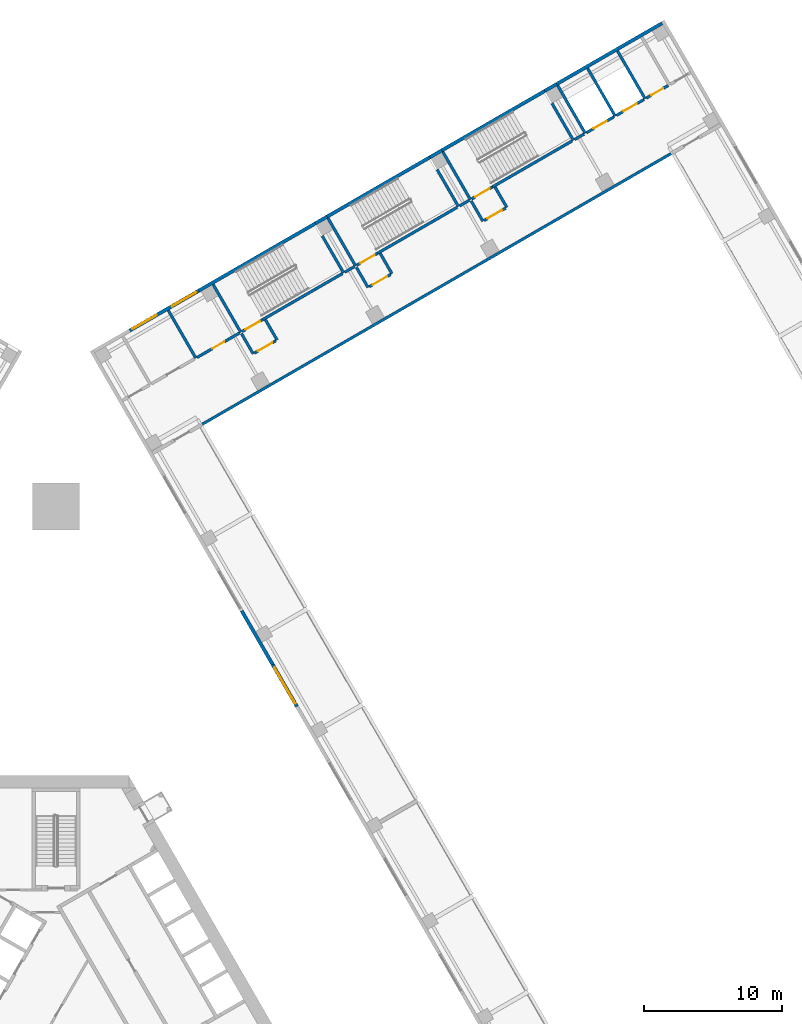
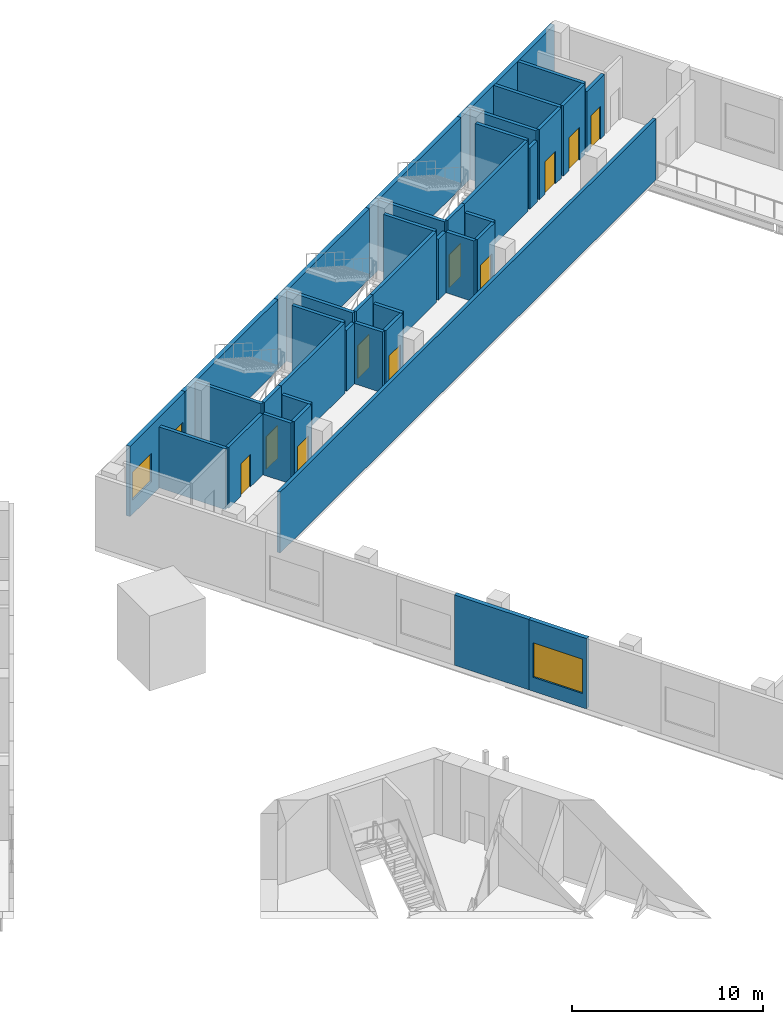
# One storey, part 15 of 28: 43 walls, 10 doors, 3 windows, 13 openings.
"""IFC4 building model written with IfcOpenShell, lengths in metres."""

from ifc_helpers import new_model, si_unit, direction, frame, frame_2d, origin, place, context, subcontext, project, spatial, rectangle, extrude, material, layer, layer_set, type_object, element, fill, save


model = new_model("IFC4")

# Units and contexts
model_context = context("Model", 3, precision=1e-05, world=origin(), true_north=direction((0.0, 1.0)))
body_context = subcontext(model_context, "Body", "Model", "MODEL_VIEW")
ifc_project = project(units=[si_unit("LENGTHUNIT", "METRE"), si_unit("AREAUNIT", "SQUARE_METRE"), si_unit("VOLUMEUNIT", "CUBIC_METRE"), si_unit("PLANEANGLEUNIT", "RADIAN"), si_unit("MASSUNIT", "GRAM", prefix="KILO")], contexts=[model_context])

# Site, building, storey
site_placement = place(None, origin())
site = spatial("IfcSite", under=ifc_project, at=site_placement, CompositionType="ELEMENT")
building_placement = place(site_placement, origin())
building = spatial("IfcBuilding", under=site, at=building_placement, Name="Mestral Congress Tower", CompositionType="ELEMENT")
storey_placement = place(building_placement, frame((0.0, 0.0, 11.39990234375)))
storey = spatial("IfcBuildingStorey", under=building, at=storey_placement, Name="L02", CompositionType="ELEMENT", Elevation=11.39990234375)

# Wall, opening, window
ifc_material_1 = material(Name="Precast concrete C40/50 with limestone facing", Category="masonry")
ifc_layer_1 = layer(ifc_material_1, 0.25)
ifc_layer_set_1 = layer_set([ifc_layer_1], Name="Precast concrete C40/50 with limestone facing")
wall_type_1 = type_object("IfcWallType", Name="Podium external wall 250", PredefinedType="SOLIDWALL", material=ifc_layer_set_1)
wall_1_placement = place(storey_placement, frame((17.4375, 21.9033203125, 0.0), z_axis=(0.0, 0.0, 1.0), x_axis=(-0.500010275428, 0.866019471182, 0.0)))
wall_1 = element("IfcWall", 1, at=wall_1_placement, inside=storey, type_object=wall_type_1, Name="L02 external wall", PredefinedType="SOLIDWALL", context=body_context, shape_type="SweptSolid", body=[
    extrude(rectangle(XDim=3.5, YDim=0.25, at=frame_2d((1.75, 0.0))), origin(), (0.0, 0.0, 1.0), 4.5),
])
opening_1_placement = place(wall_1_placement, frame((0.25, 0.0, 0.89990234375)))
opening_1 = element("IfcOpeningElement", 2, at=opening_1_placement, cuts=wall_1, Name="Opening PW-3000x2200", PredefinedType="OPENING", context=body_context, shape_type="SweptSolid", body=[
    extrude(rectangle(XDim=3.0, YDim=2.199951171875, at=frame_2d((1.5, 1.10009765625))), frame((0.0, 0.135009765625, 0.0), z_axis=(0.0, -1.0, 0.0), x_axis=(1.0, 0.0, 0.0)), (0.0, 0.0, 1.0), 0.27001953125),
])
ifc_material_2 = material(Name="Aluminium frame, clear double glazing", Category="aluminium")
window_type_1 = type_object("IfcWindowType", Name="Podium window 3000x2200 sill 900", PartitioningType="SINGLE_PANEL", PredefinedType="WINDOW", material=ifc_material_2)
window_1_placement = place(opening_1_placement, origin())
window_1 = element("IfcWindow", 3, at=window_1_placement, inside=storey, type_object=window_type_1, Name="Window", OverallHeight=2.199951171875, OverallWidth=3.0, PartitioningType="SINGLE_PANEL", PredefinedType="WINDOW", context=body_context, shape_type="SweptSolid", body=[
    extrude(rectangle(XDim=3.0, YDim=2.199951171875, at=frame_2d((1.5, 1.10009765625))), frame((0.0, 0.030029296875, 0.0), z_axis=(0.0, -1.0, 0.0), x_axis=(1.0, 0.0, 0.0)), (0.0, 0.0, 1.0), 0.06005859375),
])
fill(opening_1, window_1)

# Wall
wall_2_placement = place(storey_placement, frame((15.6875, 24.934326171875, 0.0), z_axis=(0.0, 0.0, 1.0), x_axis=(-0.499990139034, 0.866031096941, 0.0)))
element("IfcWall", 4, at=wall_2_placement, inside=storey, type_object=wall_type_1, Name="L02 external wall", PredefinedType="SOLIDWALL", context=body_context, shape_type="SweptSolid", body=[
    extrude(rectangle(XDim=4.5, YDim=0.25, at=frame_2d((2.25, 0.0))), origin(), (0.0, 0.0, 1.0), 4.5),
])

# Wall, openings, windows
wall_3_placement = place(storey_placement, frame((5.331298828125, 49.121826171875, 0.0), z_axis=(0.0, 0.0, 1.0), x_axis=(0.866036343161, 0.499981051965, 0.0)))
wall_3 = element("IfcWall", 5, at=wall_3_placement, inside=storey, type_object=wall_type_1, Name="L02 external wall", PredefinedType="SOLIDWALL", context=body_context, shape_type="SweptSolid", body=[
    extrude(rectangle(XDim=5.775146484375, YDim=0.25, at=frame_2d((2.8876953125, 0.0))), origin(), (0.0, 0.0, 1.0), 4.5),
])
opening_2_placement = place(wall_3_placement, frame((0.25, 0.0, 0.89990234375)))
opening_2 = element("IfcOpeningElement", 6, at=opening_2_placement, cuts=wall_3, Name="Opening PW-2000x1800", PredefinedType="OPENING", context=body_context, shape_type="SweptSolid", body=[
    extrude(rectangle(XDim=2.0, YDim=1.800048828125, at=frame_2d((1.0, 0.89990234375))), frame((0.0, 0.135009765625, 0.0), z_axis=(0.0, -1.0, 0.0), x_axis=(1.0, 0.0, 0.0)), (0.0, 0.0, 1.0), 0.27001953125),
])
opening_3_placement = place(wall_3_placement, frame((3.52490234375, 0.0, 0.89990234375)))
opening_3 = element("IfcOpeningElement", 7, at=opening_3_placement, cuts=wall_3, Name="Opening PW-2000x1800", PredefinedType="OPENING", context=body_context, shape_type="SweptSolid", body=[
    extrude(rectangle(XDim=2.0, YDim=1.800048828125, at=frame_2d((1.0, 0.89990234375))), frame((0.0, 0.135009765625, 0.0), z_axis=(0.0, -1.0, 0.0), x_axis=(1.0, 0.0, 0.0)), (0.0, 0.0, 1.0), 0.27001953125),
])
window_type_2 = type_object("IfcWindowType", Name="Podium window 2000x1800 sill 900", PartitioningType="SINGLE_PANEL", PredefinedType="WINDOW", material=ifc_material_2)
window_2_placement = place(opening_2_placement, origin())
window_2 = element("IfcWindow", 8, at=window_2_placement, inside=storey, type_object=window_type_2, Name="Window", OverallHeight=1.800048828125, OverallWidth=2.0, PartitioningType="SINGLE_PANEL", PredefinedType="WINDOW", context=body_context, shape_type="SweptSolid", body=[
    extrude(rectangle(XDim=2.0, YDim=1.800048828125, at=frame_2d((1.0, 0.89990234375))), frame((0.0, 0.030029296875, 0.0), z_axis=(0.0, -1.0, 0.0), x_axis=(1.0, 0.0, 0.0)), (0.0, 0.0, 1.0), 0.06005859375),
])
fill(opening_2, window_2)
window_3_placement = place(opening_3_placement, origin())
window_3 = element("IfcWindow", 9, at=window_3_placement, inside=storey, type_object=window_type_2, Name="Window", OverallHeight=1.800048828125, OverallWidth=2.0, PartitioningType="SINGLE_PANEL", PredefinedType="WINDOW", context=body_context, shape_type="SweptSolid", body=[
    extrude(rectangle(XDim=2.0, YDim=1.800048828125, at=frame_2d((1.0, 0.89990234375))), frame((0.0, 0.030029296875, 0.0), z_axis=(0.0, -1.0, 0.0), x_axis=(1.0, 0.0, 0.0)), (0.0, 0.0, 1.0), 0.06005859375),
])
fill(opening_3, window_3)

# Walls
wall_4_placement = place(storey_placement, frame((10.332763671875, 52.00927734375, 0.0), z_axis=(0.0, 0.0, 1.0), x_axis=(0.866023797515, 0.500002782129, 0.0)))
element("IfcWall", 10, at=wall_4_placement, inside=storey, type_object=wall_type_1, Name="L02 external wall", PredefinedType="SOLIDWALL", context=body_context, shape_type="SweptSolid", body=[
    extrude(rectangle(XDim=9.72509765625, YDim=0.25, at=frame_2d((4.862548828125, 0.0))), origin(), (0.0, 0.0, 1.0), 4.5),
])
wall_5_placement = place(storey_placement, frame((19.620849609375, 57.371826171875, 0.0), z_axis=(0.0, 0.0, 1.0), x_axis=(0.866021068297, 0.500007509209, 0.0)))
element("IfcWall", 11, at=wall_5_placement, inside=storey, type_object=wall_type_1, Name="L02 external wall", PredefinedType="SOLIDWALL", context=body_context, shape_type="SweptSolid", body=[
    extrude(rectangle(XDim=8.599853515625, YDim=0.25, at=frame_2d((4.2998046875, 0.0))), origin(), (0.0, 0.0, 1.0), 4.5),
])
wall_6_placement = place(storey_placement, frame((27.9345703125, 62.171875, 0.0), z_axis=(0.0, 0.0, 1.0), x_axis=(0.86604045752, 0.499973925258, 0.0)))
element("IfcWall", 12, at=wall_6_placement, inside=storey, type_object=wall_type_1, Name="L02 external wall", PredefinedType="SOLIDWALL", context=body_context, shape_type="SweptSolid", body=[
    extrude(rectangle(XDim=8.60009765625, YDim=0.25, at=frame_2d((4.300048828125, 0.0))), origin(), (0.0, 0.0, 1.0), 4.5),
])
wall_7_placement = place(storey_placement, frame((36.24853515625, 66.9716796875, 0.0), z_axis=(0.0, 0.0, 1.0), x_axis=(0.866013253925, 0.500021043584, 0.0)))
element("IfcWall", 13, at=wall_7_placement, inside=storey, type_object=wall_type_1, Name="L02 external wall", PredefinedType="SOLIDWALL", context=body_context, shape_type="SweptSolid", body=[
    extrude(rectangle(XDim=8.7998046875, YDim=0.25, at=frame_2d((4.39990234375, 0.0))), origin(), (0.0, 0.0, 1.0), 4.5),
])
for number, where, z_axis, x_axis, name in (
    (14, (18.7548828125, 56.871826171875, 0.0), (0.0, 0.0, 1.0), (0.866010750942, 0.50002537861, 0.0), "L02 external wall"),
    (15, (27.068603515625, 61.671875, 0.0), (0.0, 0.0, 1.0), (0.866010750942, 0.50002537861, 0.0), "L02 external wall"),
    (16, (35.382568359375, 66.4716796875, 0.0), (0.0, 0.0, 1.0), (0.866010750942, 0.50002537861, 0.0), "L02 external wall"),
):
    element("IfcWall", number, at=place(storey_placement, frame(where, z_axis=z_axis, x_axis=x_axis)), inside=storey, type_object=wall_type_1, Name=name, PredefinedType="SOLIDWALL", context=body_context, shape_type="SweptSolid", body=[
        extrude(rectangle(XDim=1.0, YDim=0.25, at=frame_2d((0.5, 0.0))), origin(), (0.0, 0.0, 1.0), 4.5),
    ])
ifc_material_3 = material(Name="Masonry block wall", Category="masonry")
ifc_layer_2 = layer(ifc_material_3, 0.199951171875)
ifc_layer_set_2 = layer_set([ifc_layer_2], Name="Masonry block wall")
wall_type_2 = type_object("IfcWallType", Name="Podium stair enclosure wall 200 EI 120 load-bearing", PredefinedType="SOLIDWALL", material=ifc_layer_set_2)
wall_8_placement = place(storey_placement, frame((13.369384765625, 48.99951171875, 0.0), z_axis=(0.0, 0.0, 1.0), x_axis=(-0.50002537861, 0.866010750942, 0.0)))
element("IfcWall", 17, at=wall_8_placement, inside=storey, type_object=wall_type_2, Name="L02 partition", PredefinedType="SOLIDWALL", context=body_context, shape_type="SweptSolid", body=[
    extrude(rectangle(XDim=3.999755859375, YDim=0.199951171875, at=frame_2d((2.0, 0.0))), origin(), (0.0, 0.0, 1.0), 4.5),
])
wall_9_placement = place(storey_placement, frame((20.8173828125, 53.29931640625, 0.0), z_axis=(0.0, 0.0, 1.0), x_axis=(-0.49999285859, 0.86602952684, 0.0)))
element("IfcWall", 18, at=wall_9_placement, inside=storey, type_object=wall_type_2, Name="L02 partition", PredefinedType="SOLIDWALL", context=body_context, shape_type="SweptSolid", body=[
    extrude(rectangle(XDim=3.10009765625, YDim=0.199951171875, at=frame_2d((1.550048828125, 0.0))), origin(), (0.0, 0.0, 1.0), 4.5),
])
wall_10_placement = place(storey_placement, frame((21.683349609375, 53.79931640625, 0.0), z_axis=(0.0, 0.0, 1.0), x_axis=(-0.49999894854, 0.866026010844, 0.0)))
element("IfcWall", 19, at=wall_10_placement, inside=storey, type_object=wall_type_2, Name="L02 partition", PredefinedType="SOLIDWALL", context=body_context, shape_type="SweptSolid", body=[
    extrude(rectangle(XDim=4.0, YDim=0.199951171875, at=frame_2d((2.0, 0.0))), origin(), (0.0, 0.0, 1.0), 4.5),
])
wall_11_placement = place(storey_placement, frame((29.131103515625, 58.099365234375, 0.0), z_axis=(0.0, 0.0, 1.0), x_axis=(-0.49999285859, 0.86602952684, 0.0)))
element("IfcWall", 20, at=wall_11_placement, inside=storey, type_object=wall_type_2, Name="L02 partition", PredefinedType="SOLIDWALL", context=body_context, shape_type="SweptSolid", body=[
    extrude(rectangle(XDim=3.10009765625, YDim=0.199951171875, at=frame_2d((1.550048828125, 0.0))), origin(), (0.0, 0.0, 1.0), 4.5),
])
wall_12_placement = place(storey_placement, frame((29.9970703125, 58.599365234375, 0.0), z_axis=(0.0, 0.0, 1.0), x_axis=(-0.49999894854, 0.866026010844, 0.0)))
element("IfcWall", 21, at=wall_12_placement, inside=storey, type_object=wall_type_2, Name="L02 partition", PredefinedType="SOLIDWALL", context=body_context, shape_type="SweptSolid", body=[
    extrude(rectangle(XDim=4.0, YDim=0.199951171875, at=frame_2d((2.0, 0.0))), origin(), (0.0, 0.0, 1.0), 4.5),
])
wall_13_placement = place(storey_placement, frame((37.445068359375, 62.8994140625, 0.0), z_axis=(0.0, 0.0, 1.0), x_axis=(-0.500026960575, 0.86600983753, 0.0)))
element("IfcWall", 22, at=wall_13_placement, inside=storey, type_object=wall_type_2, Name="L02 partition", PredefinedType="SOLIDWALL", context=body_context, shape_type="SweptSolid", body=[
    extrude(rectangle(XDim=3.099853515625, YDim=0.199951171875, at=frame_2d((1.5498046875, 0.0))), origin(), (0.0, 0.0, 1.0), 4.5),
])

# Wall, opening, door
wall_14_placement = place(storey_placement, frame((13.4560546875, 49.04931640625, 0.0), z_axis=(0.0, 0.0, 1.0), x_axis=(0.866036909293, 0.499980071345, 0.0)))
wall_14 = element("IfcWall", 23, at=wall_14_placement, inside=storey, type_object=wall_type_2, Name="L02 partition", PredefinedType="SOLIDWALL", context=body_context, shape_type="SweptSolid", body=[
    extrude(rectangle(XDim=1.75, YDim=0.199951171875, at=frame_2d((0.875, 0.0))), origin(), (0.0, 0.0, 1.0), 4.5),
])
opening_4_placement = place(wall_14_placement, frame((0.300048828125, 0.0, 0.0)))
opening_4 = element("IfcOpeningElement", 24, at=opening_4_placement, cuts=wall_14, Name="Opening P02-004", PredefinedType="OPENING", context=body_context, shape_type="SweptSolid", body=[
    extrude(rectangle(XDim=1.199951171875, YDim=2.10009765625, at=frame_2d((0.60009765625, 1.050048828125))), frame((0.0, 0.10986328125, 0.0), z_axis=(0.0, -1.0, 0.0), x_axis=(1.0, 0.0, 0.0)), (0.0, 0.0, 1.0), 0.219970703125),
])
ifc_material_4 = material(Name="Fire-rated steel door set", Category="steel")
door_type_1 = type_object("IfcDoorType", Name="Podium stair door 1200x2100 EI2 30-C5", OperationType="SINGLE_SWING_LEFT", PredefinedType="DOOR", material=ifc_material_4)
door_1_placement = place(opening_4_placement, origin())
door_1 = element("IfcDoor", 25, at=door_1_placement, inside=storey, type_object=door_type_1, Name="Door P02-004", OperationType="SINGLE_SWING_LEFT", OverallHeight=2.10009765625, OverallWidth=1.199951171875, PredefinedType="DOOR", context=body_context, shape_type="SweptSolid", body=[
    extrude(rectangle(XDim=1.199951171875, YDim=2.10009765625, at=frame_2d((0.60009765625, 1.050048828125))), frame((0.0, 0.02490234375, 0.0), z_axis=(0.0, -1.0, 0.0), x_axis=(1.0, 0.0, 0.0)), (0.0, 0.0, 1.0), 0.050048828125),
])
fill(opening_4, door_1)

# Wall
wall_15_placement = place(storey_placement, frame((14.9716796875, 49.92431640625, 0.0), z_axis=(0.0, 0.0, 1.0), x_axis=(0.86601134256, 0.500024353964, 0.0)))
element("IfcWall", 26, at=wall_15_placement, inside=storey, type_object=wall_type_2, Name="L02 partition", PredefinedType="SOLIDWALL", context=body_context, shape_type="SweptSolid", body=[
    extrude(rectangle(XDim=6.650146484375, YDim=0.199951171875, at=frame_2d((3.3251953125, 0.0))), origin(), (0.0, 0.0, 1.0), 4.5),
])

# Wall, opening, door
wall_16_placement = place(storey_placement, frame((21.77001953125, 53.849365234375, 0.0), z_axis=(0.0, 0.0, 1.0), x_axis=(0.866002029911, 0.500040482552, 0.0)))
wall_16 = element("IfcWall", 27, at=wall_16_placement, inside=storey, type_object=wall_type_2, Name="L02 partition", PredefinedType="SOLIDWALL", context=body_context, shape_type="SweptSolid", body=[
    extrude(rectangle(XDim=1.749755859375, YDim=0.199951171875, at=frame_2d((0.875, 0.0))), origin(), (0.0, 0.0, 1.0), 4.5),
])
opening_5_placement = place(wall_16_placement, frame((0.300048828125, 0.0, 0.0)))
opening_5 = element("IfcOpeningElement", 28, at=opening_5_placement, cuts=wall_16, Name="Opening P02-005", PredefinedType="OPENING", context=body_context, shape_type="SweptSolid", body=[
    extrude(rectangle(XDim=1.199951171875, YDim=2.10009765625, at=frame_2d((0.60009765625, 1.050048828125))), frame((0.0, 0.10986328125, 0.0), z_axis=(0.0, -1.0, 0.0), x_axis=(1.0, 0.0, 0.0)), (0.0, 0.0, 1.0), 0.219970703125),
])
door_2_placement = place(opening_5_placement, origin())
door_2 = element("IfcDoor", 29, at=door_2_placement, inside=storey, type_object=door_type_1, Name="Door P02-005", OperationType="SINGLE_SWING_LEFT", OverallHeight=2.10009765625, OverallWidth=1.199951171875, PredefinedType="DOOR", context=body_context, shape_type="SweptSolid", body=[
    extrude(rectangle(XDim=1.199951171875, YDim=2.10009765625, at=frame_2d((0.60009765625, 1.050048828125))), frame((0.0, 0.02490234375, 0.0), z_axis=(0.0, -1.0, 0.0), x_axis=(1.0, 0.0, 0.0)), (0.0, 0.0, 1.0), 0.050048828125),
])
fill(opening_5, door_2)

# Wall
wall_17_placement = place(storey_placement, frame((23.285400390625, 54.724365234375, 0.0), z_axis=(0.0, 0.0, 1.0), x_axis=(0.866027239912, 0.49999681972, 0.0)))
element("IfcWall", 30, at=wall_17_placement, inside=storey, type_object=wall_type_2, Name="L02 partition", PredefinedType="SOLIDWALL", context=body_context, shape_type="SweptSolid", body=[
    extrude(rectangle(XDim=6.64990234375, YDim=0.199951171875, at=frame_2d((3.324951171875, 0.0))), origin(), (0.0, 0.0, 1.0), 4.5),
])

# Wall, opening, door
wall_18_placement = place(storey_placement, frame((30.083740234375, 58.6494140625, 0.0), z_axis=(0.0, 0.0, 1.0), x_axis=(0.866036909293, 0.499980071345, 0.0)))
wall_18 = element("IfcWall", 31, at=wall_18_placement, inside=storey, type_object=wall_type_2, Name="L02 partition", PredefinedType="SOLIDWALL", context=body_context, shape_type="SweptSolid", body=[
    extrude(rectangle(XDim=1.75, YDim=0.199951171875, at=frame_2d((0.875, 0.0))), origin(), (0.0, 0.0, 1.0), 4.5),
])
opening_6_placement = place(wall_18_placement, frame((0.300048828125, 0.0, 0.0)))
opening_6 = element("IfcOpeningElement", 32, at=opening_6_placement, cuts=wall_18, Name="Opening P02-006", PredefinedType="OPENING", context=body_context, shape_type="SweptSolid", body=[
    extrude(rectangle(XDim=1.199951171875, YDim=2.10009765625, at=frame_2d((0.60009765625, 1.050048828125))), frame((0.0, 0.10986328125, 0.0), z_axis=(0.0, -1.0, 0.0), x_axis=(1.0, 0.0, 0.0)), (0.0, 0.0, 1.0), 0.219970703125),
])
door_3_placement = place(opening_6_placement, origin())
door_3 = element("IfcDoor", 33, at=door_3_placement, inside=storey, type_object=door_type_1, Name="Door P02-006", OperationType="SINGLE_SWING_LEFT", OverallHeight=2.10009765625, OverallWidth=1.199951171875, PredefinedType="DOOR", context=body_context, shape_type="SweptSolid", body=[
    extrude(rectangle(XDim=1.199951171875, YDim=2.10009765625, at=frame_2d((0.60009765625, 1.050048828125))), frame((0.0, 0.02490234375, 0.0), z_axis=(0.0, -1.0, 0.0), x_axis=(1.0, 0.0, 0.0)), (0.0, 0.0, 1.0), 0.050048828125),
])
fill(opening_6, door_3)

# Walls
wall_19_placement = place(storey_placement, frame((31.599365234375, 59.5244140625, 0.0), z_axis=(0.0, 0.0, 1.0), x_axis=(0.866027239912, 0.49999681972, 0.0)))
element("IfcWall", 34, at=wall_19_placement, inside=storey, type_object=wall_type_2, Name="L02 partition", PredefinedType="SOLIDWALL", context=body_context, shape_type="SweptSolid", body=[
    extrude(rectangle(XDim=6.64990234375, YDim=0.199951171875, at=frame_2d((3.324951171875, 0.0))), origin(), (0.0, 0.0, 1.0), 4.5),
])
for number, where, z_axis, x_axis, name in (
    (35, (38.31103515625, 63.3994140625, 0.0), (0.0, 0.0, 1.0), (-0.49999894854, 0.866026010844, 0.0), "L02 partition"),
    (36, (40.47607421875, 64.6494140625, 0.0), (0.0, 0.0, 1.0), (-0.49999894854, 0.866026010844, 0.0), "L02 partition"),
    (37, (42.64111328125, 65.8994140625, 0.0), (0.0, 0.0, 1.0), (-0.49999894854, 0.866026010844, 0.0), "L02 partition"),
):
    element("IfcWall", number, at=place(storey_placement, frame(where, z_axis=z_axis, x_axis=x_axis)), inside=storey, type_object=wall_type_2, Name=name, PredefinedType="SOLIDWALL", context=body_context, shape_type="SweptSolid", body=[
        extrude(rectangle(XDim=4.0, YDim=0.199951171875, at=frame_2d((2.0, 0.0))), origin(), (0.0, 0.0, 1.0), 4.5),
    ])

# Wall, opening, door
wall_20_placement = place(storey_placement, frame((38.397705078125, 63.449462890625, 0.0), z_axis=(0.0, 0.0, 1.0), x_axis=(0.86602648383, 0.499998129301, 0.0)))
wall_20 = element("IfcWall", 38, at=wall_20_placement, inside=storey, type_object=wall_type_2, Name="L02 partition", PredefinedType="SOLIDWALL", context=body_context, shape_type="SweptSolid", body=[
    extrude(rectangle(XDim=2.2998046875, YDim=0.199951171875, at=frame_2d((1.14990234375, 0.0))), origin(), (0.0, 0.0, 1.0), 4.5),
])
opening_7_placement = place(wall_20_placement, frame((0.60009765625, 0.0, 0.0)))
opening_7 = element("IfcOpeningElement", 39, at=opening_7_placement, cuts=wall_20, Name="Opening P02-009", PredefinedType="OPENING", context=body_context, shape_type="SweptSolid", body=[
    extrude(rectangle(XDim=1.10009765625, YDim=2.10009765625, at=frame_2d((0.550048828125, 1.050048828125))), frame((0.0, 0.10986328125, 0.0), z_axis=(0.0, -1.0, 0.0), x_axis=(1.0, 0.0, 0.0)), (0.0, 0.0, 1.0), 0.219970703125),
])
door_type_2 = type_object("IfcDoorType", Name="Podium lift landing door 1100x2100 EI2 60-C5", OperationType="DOUBLE_DOOR_SLIDING", PredefinedType="DOOR", material=ifc_material_4)
door_4_placement = place(opening_7_placement, origin())
door_4 = element("IfcDoor", 40, at=door_4_placement, inside=storey, type_object=door_type_2, Name="Door P02-009", OperationType="DOUBLE_DOOR_SLIDING", OverallHeight=2.10009765625, OverallWidth=1.10009765625, PredefinedType="DOOR", context=body_context, shape_type="SweptSolid", body=[
    extrude(rectangle(XDim=1.10009765625, YDim=2.10009765625, at=frame_2d((0.550048828125, 1.050048828125))), frame((0.0, 0.02490234375, 0.0), z_axis=(0.0, -1.0, 0.0), x_axis=(1.0, 0.0, 0.0)), (0.0, 0.0, 1.0), 0.050048828125),
])
fill(opening_7, door_4)

wall_21_placement = place(storey_placement, frame((40.562744140625, 64.699462890625, 0.0), z_axis=(0.0, 0.0, 1.0), x_axis=(0.86602648383, 0.499998129301, 0.0)))
wall_21 = element("IfcWall", 41, at=wall_21_placement, inside=storey, type_object=wall_type_2, Name="L02 partition", PredefinedType="SOLIDWALL", context=body_context, shape_type="SweptSolid", body=[
    extrude(rectangle(XDim=2.2998046875, YDim=0.199951171875, at=frame_2d((1.14990234375, 0.0))), origin(), (0.0, 0.0, 1.0), 4.5),
])
opening_8_placement = place(wall_21_placement, frame((0.60009765625, 0.0, 0.0)))
opening_8 = element("IfcOpeningElement", 42, at=opening_8_placement, cuts=wall_21, Name="Opening P02-010", PredefinedType="OPENING", context=body_context, shape_type="SweptSolid", body=[
    extrude(rectangle(XDim=1.10009765625, YDim=2.10009765625, at=frame_2d((0.550048828125, 1.050048828125))), frame((0.0, 0.10986328125, 0.0), z_axis=(0.0, -1.0, 0.0), x_axis=(1.0, 0.0, 0.0)), (0.0, 0.0, 1.0), 0.219970703125),
])
door_5_placement = place(opening_8_placement, origin())
door_5 = element("IfcDoor", 43, at=door_5_placement, inside=storey, type_object=door_type_2, Name="Door P02-010", OperationType="DOUBLE_DOOR_SLIDING", OverallHeight=2.10009765625, OverallWidth=1.10009765625, PredefinedType="DOOR", context=body_context, shape_type="SweptSolid", body=[
    extrude(rectangle(XDim=1.10009765625, YDim=2.10009765625, at=frame_2d((0.550048828125, 1.050048828125))), frame((0.0, 0.02490234375, 0.0), z_axis=(0.0, -1.0, 0.0), x_axis=(1.0, 0.0, 0.0)), (0.0, 0.0, 1.0), 0.050048828125),
])
fill(opening_8, door_5)

# Walls
ifc_material_5 = material(Name="Fire-rated board partition")
ifc_layer_3 = layer(ifc_material_5, 0.199951171875)
ifc_layer_set_3 = layer_set([ifc_layer_3], Name="Fire-rated board partition")
wall_type_3 = type_object("IfcWallType", Name="Podium vestibule wall 200 EI 120", PredefinedType="PARTITIONING", material=ifc_layer_set_3)
for number, where, z_axis, x_axis, name in (
    (44, (14.26953125, 47.440673828125, 0.0), (0.0, 0.0, 1.0), (-0.500062241894, 0.865989465428, 0.0), "L02 partition"),
    (45, (16.00146484375, 48.440673828125, 0.0), (0.0, 0.0, 1.0), (-0.499954529098, 0.86605165483, 0.0), "L02 partition"),
    (46, (22.583251953125, 52.240478515625, 0.0), (0.0, 0.0, 1.0), (-0.499892348375, 0.866087547558, 0.0), "L02 partition"),
):
    element("IfcWall", number, at=place(storey_placement, frame(where, z_axis=z_axis, x_axis=x_axis)), inside=storey, type_object=wall_type_3, Name=name, PredefinedType="PARTITIONING", context=body_context, shape_type="SweptSolid", body=[
        extrude(rectangle(XDim=1.699951171875, YDim=0.199951171875, at=frame_2d((0.85009765625, 0.0))), origin(), (0.0, 0.0, 1.0), 3.900146484375),
    ])
wall_22_placement = place(storey_placement, frame((24.3154296875, 53.240478515625, 0.0), z_axis=(0.0, 0.0, 1.0), x_axis=(-0.500000056704, 0.866025371046, 0.0)))
element("IfcWall", 47, at=wall_22_placement, inside=storey, type_object=wall_type_3, Name="L02 partition", PredefinedType="PARTITIONING", context=body_context, shape_type="SweptSolid", body=[
    extrude(rectangle(XDim=1.7001953125, YDim=0.199951171875, at=frame_2d((0.85009765625, 0.0))), origin(), (0.0, 0.0, 1.0), 3.900146484375),
])
for number, where, z_axis, x_axis, name in (
    (48, (30.897216796875, 57.04052734375, 0.0), (0.0, 0.0, 1.0), (-0.500062241894, 0.865989465428, 0.0), "L02 partition"),
    (49, (32.629150390625, 58.04052734375, 0.0), (0.0, 0.0, 1.0), (-0.499954529098, 0.86605165483, 0.0), "L02 partition"),
):
    element("IfcWall", number, at=place(storey_placement, frame(where, z_axis=z_axis, x_axis=x_axis)), inside=storey, type_object=wall_type_3, Name=name, PredefinedType="PARTITIONING", context=body_context, shape_type="SweptSolid", body=[
        extrude(rectangle(XDim=1.699951171875, YDim=0.199951171875, at=frame_2d((0.85009765625, 0.0))), origin(), (0.0, 0.0, 1.0), 3.900146484375),
    ])

# Wall, opening, door
wall_23_placement = place(storey_placement, frame((14.356201171875, 47.490478515625, 0.0), z_axis=(0.0, 0.0, 1.0), x_axis=(0.865955154139, 0.50012165622, 0.0)))
wall_23 = element("IfcWall", 50, at=wall_23_placement, inside=storey, type_object=wall_type_3, Name="L02 partition", PredefinedType="PARTITIONING", context=body_context, shape_type="SweptSolid", body=[
    extrude(rectangle(XDim=1.7998046875, YDim=0.199951171875, at=frame_2d((0.89990234375, 0.0))), origin(), (0.0, 0.0, 1.0), 3.900146484375),
])
opening_9_placement = place(wall_23_placement, frame((0.300048828125, 0.0, 0.0)))
opening_9 = element("IfcOpeningElement", 51, at=opening_9_placement, cuts=wall_23, Name="Opening P02-014", PredefinedType="OPENING", context=body_context, shape_type="SweptSolid", body=[
    extrude(rectangle(XDim=1.199951171875, YDim=2.10009765625, at=frame_2d((0.60009765625, 1.050048828125))), frame((0.0, 0.10986328125, 0.0), z_axis=(0.0, -1.0, 0.0), x_axis=(1.0, 0.0, 0.0)), (0.0, 0.0, 1.0), 0.219970703125),
])
door_type_3 = type_object("IfcDoorType", Name="Podium vestibule door 1200x2100 EI2 30-C5", OperationType="SINGLE_SWING_LEFT", PredefinedType="DOOR", material=ifc_material_4)
door_6_placement = place(opening_9_placement, origin())
door_6 = element("IfcDoor", 52, at=door_6_placement, inside=storey, type_object=door_type_3, Name="Door P02-014", OperationType="SINGLE_SWING_LEFT", OverallHeight=2.10009765625, OverallWidth=1.199951171875, PredefinedType="DOOR", context=body_context, shape_type="SweptSolid", body=[
    extrude(rectangle(XDim=1.199951171875, YDim=2.10009765625, at=frame_2d((0.60009765625, 1.050048828125))), frame((0.0, 0.02490234375, 0.0), z_axis=(0.0, -1.0, 0.0), x_axis=(1.0, 0.0, 0.0)), (0.0, 0.0, 1.0), 0.050048828125),
])
fill(opening_9, door_6)

wall_24_placement = place(storey_placement, frame((22.669921875, 52.29052734375, 0.0), z_axis=(0.0, 0.0, 1.0), x_axis=(0.865989075817, 0.500062916607, 0.0)))
wall_24 = element("IfcWall", 53, at=wall_24_placement, inside=storey, type_object=wall_type_3, Name="L02 partition", PredefinedType="PARTITIONING", context=body_context, shape_type="SweptSolid", body=[
    extrude(rectangle(XDim=1.800048828125, YDim=0.199951171875, at=frame_2d((0.89990234375, 0.0))), origin(), (0.0, 0.0, 1.0), 3.900146484375),
])
opening_10_placement = place(wall_24_placement, frame((0.300048828125, 0.0, 0.0)))
opening_10 = element("IfcOpeningElement", 54, at=opening_10_placement, cuts=wall_24, Name="Opening P02-015", PredefinedType="OPENING", context=body_context, shape_type="SweptSolid", body=[
    extrude(rectangle(XDim=1.199951171875, YDim=2.10009765625, at=frame_2d((0.60009765625, 1.050048828125))), frame((0.0, 0.10986328125, 0.0), z_axis=(0.0, -1.0, 0.0), x_axis=(1.0, 0.0, 0.0)), (0.0, 0.0, 1.0), 0.219970703125),
])
door_7_placement = place(opening_10_placement, origin())
door_7 = element("IfcDoor", 55, at=door_7_placement, inside=storey, type_object=door_type_3, Name="Door P02-015", OperationType="SINGLE_SWING_LEFT", OverallHeight=2.10009765625, OverallWidth=1.199951171875, PredefinedType="DOOR", context=body_context, shape_type="SweptSolid", body=[
    extrude(rectangle(XDim=1.199951171875, YDim=2.10009765625, at=frame_2d((0.60009765625, 1.050048828125))), frame((0.0, 0.02490234375, 0.0), z_axis=(0.0, -1.0, 0.0), x_axis=(1.0, 0.0, 0.0)), (0.0, 0.0, 1.0), 0.050048828125),
])
fill(opening_10, door_7)

wall_25_placement = place(storey_placement, frame((30.983642578125, 57.090576171875, 0.0), z_axis=(0.0, 0.0, 1.0), x_axis=(0.866047807691, 0.499961193289, 0.0)))
wall_25 = element("IfcWall", 56, at=wall_25_placement, inside=storey, type_object=wall_type_3, Name="L02 partition", PredefinedType="PARTITIONING", context=body_context, shape_type="SweptSolid", body=[
    extrude(rectangle(XDim=1.800048828125, YDim=0.199951171875, at=frame_2d((0.89990234375, 0.0))), origin(), (0.0, 0.0, 1.0), 3.900146484375),
])
opening_11_placement = place(wall_25_placement, frame((0.300048828125, 0.0, 0.0)))
opening_11 = element("IfcOpeningElement", 57, at=opening_11_placement, cuts=wall_25, Name="Opening P02-016", PredefinedType="OPENING", context=body_context, shape_type="SweptSolid", body=[
    extrude(rectangle(XDim=1.199951171875, YDim=2.10009765625, at=frame_2d((0.60009765625, 1.050048828125))), frame((0.0, 0.10986328125, 0.0), z_axis=(0.0, -1.0, 0.0), x_axis=(1.0, 0.0, 0.0)), (0.0, 0.0, 1.0), 0.219970703125),
])
door_8_placement = place(opening_11_placement, origin())
door_8 = element("IfcDoor", 58, at=door_8_placement, inside=storey, type_object=door_type_3, Name="Door P02-016", OperationType="SINGLE_SWING_LEFT", OverallHeight=2.10009765625, OverallWidth=1.199951171875, PredefinedType="DOOR", context=body_context, shape_type="SweptSolid", body=[
    extrude(rectangle(XDim=1.199951171875, YDim=2.10009765625, at=frame_2d((0.60009765625, 1.050048828125))), frame((0.0, 0.02490234375, 0.0), z_axis=(0.0, -1.0, 0.0), x_axis=(1.0, 0.0, 0.0)), (0.0, 0.0, 1.0), 0.050048828125),
])
fill(opening_11, door_8)

wall_26_placement = place(storey_placement, frame((42.727783203125, 65.949462890625, 0.0), z_axis=(0.0, 0.0, 1.0), x_axis=(0.866036312054, 0.499981105847, 0.0)))
wall_26 = element("IfcWall", 59, at=wall_26_placement, inside=storey, type_object=wall_type_3, Name="L02 partition", PredefinedType="PARTITIONING", context=body_context, shape_type="SweptSolid", body=[
    extrude(rectangle(XDim=1.82470703125, YDim=0.199951171875, at=frame_2d((0.912353515625, 0.0))), origin(), (0.0, 0.0, 1.0), 3.900146484375),
])
opening_12_placement = place(wall_26_placement, frame((0.41259765625, 0.0, 0.0)))
opening_12 = element("IfcOpeningElement", 60, at=opening_12_placement, cuts=wall_26, Name="Opening P02-025", PredefinedType="OPENING", context=body_context, shape_type="SweptSolid", body=[
    extrude(rectangle(XDim=1.0, YDim=2.10009765625, at=frame_2d((0.5, 1.050048828125))), frame((0.0, 0.10986328125, 0.0), z_axis=(0.0, -1.0, 0.0), x_axis=(1.0, 0.0, 0.0)), (0.0, 0.0, 1.0), 0.219970703125),
])
door_type_4 = type_object("IfcDoorType", Name="Podium room door 1000x2100 EI2 30-C5", OperationType="SINGLE_SWING_LEFT", PredefinedType="DOOR", material=ifc_material_4)
door_9_placement = place(opening_12_placement, origin())
door_9 = element("IfcDoor", 61, at=door_9_placement, inside=storey, type_object=door_type_4, Name="Door P02-025", OperationType="SINGLE_SWING_LEFT", OverallHeight=2.10009765625, OverallWidth=1.0, PredefinedType="DOOR", context=body_context, shape_type="SweptSolid", body=[
    extrude(rectangle(XDim=1.0, YDim=2.10009765625, at=frame_2d((0.5, 1.050048828125))), frame((0.0, 0.02490234375, 0.0), z_axis=(0.0, -1.0, 0.0), x_axis=(1.0, 0.0, 0.0)), (0.0, 0.0, 1.0), 0.050048828125),
])
fill(opening_12, door_9)

# Wall
wall_27_placement = place(storey_placement, frame((10.121826171875, 47.12451171875, 0.0), z_axis=(0.0, 0.0, 1.0), x_axis=(-0.50002537861, 0.866010750942, 0.0)))
element("IfcWall", 62, at=wall_27_placement, inside=storey, type_object=wall_type_3, Name="L02 partition", PredefinedType="PARTITIONING", context=body_context, shape_type="SweptSolid", body=[
    extrude(rectangle(XDim=3.999755859375, YDim=0.199951171875, at=frame_2d((2.0, 0.0))), origin(), (0.0, 0.0, 1.0), 3.900146484375),
])

# Wall, opening, door
wall_28_placement = place(storey_placement, frame((10.20849609375, 47.17431640625, 0.0), z_axis=(0.0, 0.0, 1.0), x_axis=(0.866012656725, 0.500022077904, 0.0)))
wall_28 = element("IfcWall", 63, at=wall_28_placement, inside=storey, type_object=wall_type_3, Name="L02 partition", PredefinedType="PARTITIONING", context=body_context, shape_type="SweptSolid", body=[
    extrude(rectangle(XDim=3.550048828125, YDim=0.199951171875, at=frame_2d((1.77490234375, 0.0))), origin(), (0.0, 0.0, 1.0), 3.900146484375),
])
opening_13_placement = place(wall_28_placement, frame((1.27490234375, 0.0, 0.0)))
opening_13 = element("IfcOpeningElement", 64, at=opening_13_placement, cuts=wall_28, Name="Opening P02-030", PredefinedType="OPENING", context=body_context, shape_type="SweptSolid", body=[
    extrude(rectangle(XDim=1.0, YDim=2.10009765625, at=frame_2d((0.5, 1.050048828125))), frame((0.0, 0.10986328125, 0.0), z_axis=(0.0, -1.0, 0.0), x_axis=(1.0, 0.0, 0.0)), (0.0, 0.0, 1.0), 0.219970703125),
])
door_10_placement = place(opening_13_placement, origin())
door_10 = element("IfcDoor", 65, at=door_10_placement, inside=storey, type_object=door_type_4, Name="Door P02-030", OperationType="SINGLE_SWING_LEFT", OverallHeight=2.10009765625, OverallWidth=1.0, PredefinedType="DOOR", context=body_context, shape_type="SweptSolid", body=[
    extrude(rectangle(XDim=1.0, YDim=2.10009765625, at=frame_2d((0.5, 1.050048828125))), frame((0.0, 0.02490234375, 0.0), z_axis=(0.0, -1.0, 0.0), x_axis=(1.0, 0.0, 0.0)), (0.0, 0.0, 1.0), 0.050048828125),
])
fill(opening_13, door_10)

# Walls
wall_29_placement = place(storey_placement, frame((10.49072265625, 42.28564453125, 0.0), z_axis=(0.0, 0.0, 1.0), x_axis=(0.866025540551, 0.499999763114, 0.0)))
element("IfcWall", 66, at=wall_29_placement, inside=storey, type_object=wall_type_3, Name="L02 partition", PredefinedType="PARTITIONING", context=body_context, shape_type="SweptSolid", body=[
    extrude(rectangle(XDim=39.39990234375, YDim=0.199951171875, at=frame_2d((19.699951171875, 0.0))), origin(), (0.0, 0.0, 1.0), 3.900146484375),
])
wall_30_placement = place(storey_placement, frame((20.90380859375, 53.349365234375, 0.0), z_axis=(0.0, 0.0, 1.0), x_axis=(0.865961984968, 0.500109828528, 0.0)))
element("IfcWall", 67, at=wall_30_placement, inside=storey, type_object=wall_type_3, Name="L02 partition", PredefinedType="PARTITIONING", context=body_context, shape_type="SweptSolid", body=[
    extrude(rectangle(XDim=0.800048828125, YDim=0.199951171875, at=frame_2d((0.39990234375, 0.0))), origin(), (0.0, 0.0, 1.0), 3.900146484375),
])
wall_31_placement = place(storey_placement, frame((29.2177734375, 58.1494140625, 0.0), z_axis=(0.0, 0.0, 1.0), x_axis=(0.866017831539, 0.500013115284, 0.0)))
element("IfcWall", 68, at=wall_31_placement, inside=storey, type_object=wall_type_3, Name="L02 partition", PredefinedType="PARTITIONING", context=body_context, shape_type="SweptSolid", body=[
    extrude(rectangle(XDim=0.7998046875, YDim=0.199951171875, at=frame_2d((0.39990234375, 0.0))), origin(), (0.0, 0.0, 1.0), 3.900146484375),
])
wall_32_placement = place(storey_placement, frame((37.531494140625, 62.949462890625, 0.0), z_axis=(0.0, 0.0, 1.0), x_axis=(0.866094119867, 0.499880961361, 0.0)))
element("IfcWall", 69, at=wall_32_placement, inside=storey, type_object=wall_type_3, Name="L02 partition", PredefinedType="PARTITIONING", context=body_context, shape_type="SweptSolid", body=[
    extrude(rectangle(XDim=0.800048828125, YDim=0.199951171875, at=frame_2d((0.39990234375, 0.0))), origin(), (0.0, 0.0, 1.0), 3.900146484375),
])

save(model, "model.ifc")
